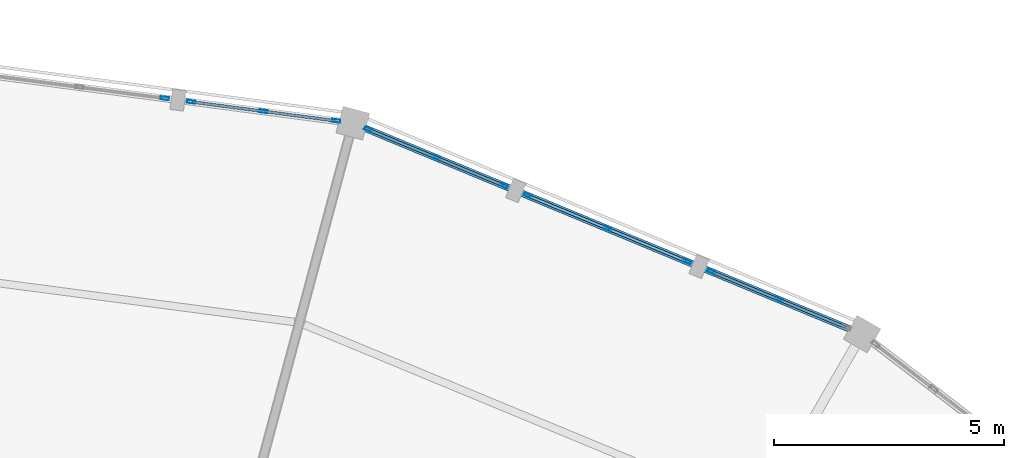
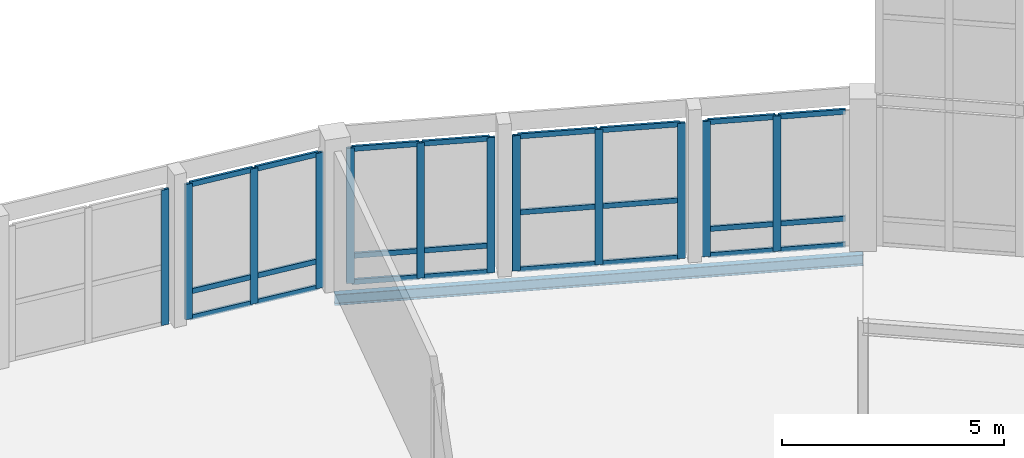
# One storey, part 103 of 200: 36 members, 1 beam, 5 elements without a shape of their own.
"""IFC4 building model written with IfcOpenShell, lengths in metres."""

from ifc_helpers import new_model, si_unit, direction, frame, origin, origin_2d, place, context, subcontext, project, spatial, hollow_rectangle, i_section, extrude, material, material_profile, profile_set, type_object, element, aggregate, save


model = new_model("IFC4")

# Units and contexts
model_context = context("Model", 3, precision=1e-05, world=origin(), true_north=direction((0.0, 1.0)))
body_context = subcontext(model_context, "Body", "Model", "MODEL_VIEW")
ifc_project = project(units=[si_unit("LENGTHUNIT", "METRE"), si_unit("AREAUNIT", "SQUARE_METRE"), si_unit("VOLUMEUNIT", "CUBIC_METRE"), si_unit("PLANEANGLEUNIT", "RADIAN"), si_unit("MASSUNIT", "GRAM", prefix="KILO")], contexts=[model_context])

# Site, building, storey
site_placement = place(None, origin())
site = spatial("IfcSite", under=ifc_project, at=site_placement, CompositionType="ELEMENT")
building_placement = place(site_placement, origin())
building = spatial("IfcBuilding", under=site, at=building_placement, Name="Vondelvale Polytechnic", CompositionType="ELEMENT")
storey_placement = place(building_placement, frame((0.0, 0.0, 13.800048828125)))
storey = spatial("IfcBuildingStorey", under=building, at=storey_placement, Name="L03", CompositionType="ELEMENT", Elevation=13.800048828125)

# Beam
ifc_material_1 = material(Name="Steel 300PLUS (fy = 300 MPa)", Category="steel")
ifc_material_profile_1 = material_profile(ifc_material_1, i_section(OverallWidth=0.14892578125, OverallDepth=0.298095703125, WebThickness=0.005615234375, FlangeThickness=0.008056640625, FilletRadius=0.011474609375, at=origin_2d()), Name="310UB32.0")
ifc_profile_set_1 = profile_set([ifc_material_profile_1], Name="Steel 300PLUS (fy = 300 MPa)")
beam_type = type_object("IfcBeamType", Name="BM-UB310L", PredefinedType="BEAM", material=ifc_profile_set_1)
beam_placement = place(storey_placement, frame((125.0, 111.837158203125, -0.399169921875), z_axis=(-0.923877323614, 0.382688765072, 0.0), x_axis=(-0.382688765072, -0.923877323614, 0.0)))
element("IfcBeam", 1, at=beam_placement, inside=storey, type_object=beam_type, Name="L03 RB B-25", PredefinedType="BEAM", context=body_context, shape_type="SweptSolid", body=[
    extrude(i_section(OverallWidth=0.14892578125, OverallDepth=0.298095703125, WebThickness=0.005615234375, FlangeThickness=0.008056640625, FilletRadius=0.011474609375, at=origin_2d()), origin(), (0.0, 0.0, 1.0), 12.00830078125),
])

# Curtain wall, members
ifc_material_2 = material(Name="Glulam GL18 structural Tasmanian oak (fb = 42 MPa)", Category="wood")
curtain_wall_type = type_object("IfcCurtainWallType", Name="CW-RING-OUTER", PredefinedType="NOTDEFINED", material=ifc_material_2)
curtain_wall_1_placement = place(storey_placement, origin())
curtain_wall_1 = element("IfcCurtainWall", 2, at=curtain_wall_1_placement, inside=storey, type_object=curtain_wall_type, Name="L03 architectural curtain wall CW-04-124", PredefinedType="NOTDEFINED")
ifc_material_3 = material(Name="Anodised extruded aluminium 6063-T6", Category="aluminium")
ifc_material_profile_2 = material_profile(ifc_material_3, hollow_rectangle(XDim=0.06494140625, YDim=0.179931640625, WallThickness=0.00390625, at=origin_2d()), Name="CW-MUL-180x65")
ifc_profile_set_2 = profile_set([ifc_material_profile_2], Name="Anodised extruded aluminium 6063-T6")
member_type_1 = type_object("IfcMemberType", Name="CW-MUL-65x180", PredefinedType="MULLION", material=ifc_profile_set_2)
member_1_placement = place(storey_placement, frame((123.18896484375, 112.58740234375, 0.0), z_axis=(0.0, 0.0, 1.0), x_axis=(-0.382677394529, -0.923882033442, 0.0)))
member_1 = element("IfcMember", 3, at=member_1_placement, type_object=member_type_1, Name="CW-04-124 mullion 2", PredefinedType="MULLION", context=body_context, shape_type="SweptSolid", body=[
    extrude(hollow_rectangle(XDim=0.06494140625, YDim=0.179931640625, WallThickness=0.00390625, at=origin_2d()), origin(), (0.0, 0.0, 1.0), 3.719970703125),
])
member_2_placement = place(storey_placement, frame((121.71533203125, 113.19775390625, 0.0), z_axis=(0.0, 0.0, 1.0), x_axis=(-0.382677394529, -0.923882033442, 0.0)))
member_2 = element("IfcMember", 4, at=member_2_placement, type_object=member_type_1, Name="CW-04-124 mullion 3", PredefinedType="MULLION", context=body_context, shape_type="SweptSolid", body=[
    extrude(hollow_rectangle(XDim=0.06494140625, YDim=0.179931640625, WallThickness=0.00390625, at=origin_2d()), origin(), (0.0, 0.0, 1.0), 3.719970703125),
])

curtain_wall_2_placement = place(storey_placement, origin())
curtain_wall_2 = element("IfcCurtainWall", 5, at=curtain_wall_2_placement, inside=storey, type_object=curtain_wall_type, Name="L03 architectural curtain wall CW-04-125", PredefinedType="NOTDEFINED")
member_3_placement = place(storey_placement, frame((121.18408203125, 113.417724609375, 0.0), z_axis=(0.0, 0.0, 1.0), x_axis=(-0.382694599123, -0.92387490701, 0.0)))
member_3 = element("IfcMember", 6, at=member_3_placement, type_object=member_type_1, Name="CW-04-125 mullion 1", PredefinedType="MULLION", context=body_context, shape_type="SweptSolid", body=[
    extrude(hollow_rectangle(XDim=0.06494140625, YDim=0.179931640625, WallThickness=0.00390625, at=origin_2d()), origin(), (0.0, 0.0, 1.0), 3.719970703125),
])
member_4_placement = place(storey_placement, frame((119.452880859375, 114.135009765625, 0.0), z_axis=(0.0, 0.0, 1.0), x_axis=(-0.382694599123, -0.92387490701, 0.0)))
member_4 = element("IfcMember", 7, at=member_4_placement, type_object=member_type_1, Name="CW-04-125 mullion 2", PredefinedType="MULLION", context=body_context, shape_type="SweptSolid", body=[
    extrude(hollow_rectangle(XDim=0.06494140625, YDim=0.179931640625, WallThickness=0.00390625, at=origin_2d()), origin(), (0.0, 0.0, 1.0), 3.719970703125),
])
member_5_placement = place(storey_placement, frame((117.721435546875, 114.85205078125, 0.0), z_axis=(0.0, 0.0, 1.0), x_axis=(-0.382694599123, -0.92387490701, 0.0)))
member_5 = element("IfcMember", 8, at=member_5_placement, type_object=member_type_1, Name="CW-04-125 mullion 3", PredefinedType="MULLION", context=body_context, shape_type="SweptSolid", body=[
    extrude(hollow_rectangle(XDim=0.06494140625, YDim=0.179931640625, WallThickness=0.00390625, at=origin_2d()), origin(), (0.0, 0.0, 1.0), 3.719970703125),
])

curtain_wall_3_placement = place(storey_placement, origin())
curtain_wall_3 = element("IfcCurtainWall", 9, at=curtain_wall_3_placement, inside=storey, type_object=curtain_wall_type, Name="L03 architectural curtain wall CW-04-126", PredefinedType="NOTDEFINED")
member_6_placement = place(storey_placement, frame((117.190185546875, 115.072021484375, 0.0), z_axis=(0.0, 0.0, 1.0), x_axis=(-0.382677394529, -0.923882033442, 0.0)))
member_6 = element("IfcMember", 10, at=member_6_placement, type_object=member_type_1, Name="CW-04-126 mullion 1", PredefinedType="MULLION", context=body_context, shape_type="SweptSolid", body=[
    extrude(hollow_rectangle(XDim=0.06494140625, YDim=0.179931640625, WallThickness=0.00390625, at=origin_2d()), origin(), (0.0, 0.0, 1.0), 3.719970703125),
])
member_7_placement = place(storey_placement, frame((115.716796875, 115.6826171875, 0.0), z_axis=(0.0, 0.0, 1.0), x_axis=(-0.382677394529, -0.923882033442, 0.0)))
member_7 = element("IfcMember", 11, at=member_7_placement, type_object=member_type_1, Name="CW-04-126 mullion 2", PredefinedType="MULLION", context=body_context, shape_type="SweptSolid", body=[
    extrude(hollow_rectangle(XDim=0.06494140625, YDim=0.179931640625, WallThickness=0.00390625, at=origin_2d()), origin(), (0.0, 0.0, 1.0), 3.719970703125),
])
member_8_placement = place(storey_placement, frame((114.2431640625, 116.29296875, 0.0), z_axis=(0.0, 0.0, 1.0), x_axis=(-0.382677394529, -0.923882033442, 0.0)))
member_8 = element("IfcMember", 12, at=member_8_placement, type_object=member_type_1, Name="CW-04-126 mullion 3", PredefinedType="MULLION", context=body_context, shape_type="SweptSolid", body=[
    extrude(hollow_rectangle(XDim=0.06494140625, YDim=0.179931640625, WallThickness=0.00390625, at=origin_2d()), origin(), (0.0, 0.0, 1.0), 3.719970703125),
])

curtain_wall_4_placement = place(storey_placement, origin())
curtain_wall_4 = element("IfcCurtainWall", 13, at=curtain_wall_4_placement, inside=storey, type_object=curtain_wall_type, Name="L03 architectural curtain wall CW-04-144", PredefinedType="NOTDEFINED")
member_9_placement = place(storey_placement, frame((113.54345703125, 116.480224609375, 0.0), z_axis=(0.0, 0.0, 1.0), x_axis=(-0.130539547729, -0.991443102996, 0.0)))
member_9 = element("IfcMember", 14, at=member_9_placement, type_object=member_type_1, Name="CW-04-144 mullion 1", PredefinedType="MULLION", context=body_context, shape_type="SweptSolid", body=[
    extrude(hollow_rectangle(XDim=0.06494140625, YDim=0.179931640625, WallThickness=0.00390625, at=origin_2d()), origin(), (0.0, 0.0, 1.0), 3.719970703125),
])
member_10_placement = place(storey_placement, frame((111.962158203125, 116.6884765625, 0.0), z_axis=(0.0, 0.0, 1.0), x_axis=(-0.130539547729, -0.991443102996, 0.0)))
member_10 = element("IfcMember", 15, at=member_10_placement, type_object=member_type_1, Name="CW-04-144 mullion 2", PredefinedType="MULLION", context=body_context, shape_type="SweptSolid", body=[
    extrude(hollow_rectangle(XDim=0.06494140625, YDim=0.179931640625, WallThickness=0.00390625, at=origin_2d()), origin(), (0.0, 0.0, 1.0), 3.719970703125),
])
member_11_placement = place(storey_placement, frame((110.380859375, 116.896728515625, 0.0), z_axis=(0.0, 0.0, 1.0), x_axis=(-0.130539547729, -0.991443102996, 0.0)))
member_11 = element("IfcMember", 16, at=member_11_placement, type_object=member_type_1, Name="CW-04-144 mullion 3", PredefinedType="MULLION", context=body_context, shape_type="SweptSolid", body=[
    extrude(hollow_rectangle(XDim=0.06494140625, YDim=0.179931640625, WallThickness=0.00390625, at=origin_2d()), origin(), (0.0, 0.0, 1.0), 3.719970703125),
])

# Curtain wall, member
curtain_wall_5_placement = place(storey_placement, origin())
curtain_wall_5 = element("IfcCurtainWall", 17, at=curtain_wall_5_placement, inside=storey, type_object=curtain_wall_type, Name="L03 architectural curtain wall CW-04-145", PredefinedType="NOTDEFINED")
member_12_placement = place(storey_placement, frame((109.810791015625, 116.9716796875, 0.0), z_axis=(0.0, 0.0, 1.0), x_axis=(-0.130497251349, -0.991448671082, 0.0)))
member_12 = element("IfcMember", 18, at=member_12_placement, type_object=member_type_1, Name="CW-04-145 mullion 1", PredefinedType="MULLION", context=body_context, shape_type="SweptSolid", body=[
    extrude(hollow_rectangle(XDim=0.06494140625, YDim=0.179931640625, WallThickness=0.00390625, at=origin_2d()), origin(), (0.0, 0.0, 1.0), 3.719970703125),
])
aggregate(curtain_wall_5, [member_12])

# Member
ifc_material_profile_3 = material_profile(ifc_material_3, hollow_rectangle(XDim=0.06005859375, YDim=0.139892578125, WallThickness=0.00341796875, at=origin_2d()), Name="CW-TRN-140x60")
ifc_profile_set_3 = profile_set([ifc_material_profile_3], Name="Anodised extruded aluminium 6063-T6")
member_type_2 = type_object("IfcMemberType", Name="CW-TRN-60x140", PredefinedType="USERDEFINED", material=ifc_profile_set_3)
member_13_placement = place(storey_placement, frame((124.632568359375, 111.9892578125, 0.030029296875), z_axis=(-0.923839843027, 0.382779237206, 0.0), x_axis=(-0.382779237206, -0.923839843027, 0.0)))
member_13 = element("IfcMember", 19, at=member_13_placement, type_object=member_type_2, Name="CW-04-124 transom 1.1", ObjectType="TRANSOM", PredefinedType="USERDEFINED", context=body_context, shape_type="SweptSolid", body=[
    extrude(hollow_rectangle(XDim=0.06005859375, YDim=0.139892578125, WallThickness=0.00341796875, at=origin_2d()), origin(), (0.0, 0.0, 1.0), 1.530029296875),
])

member_14_placement = place(storey_placement, frame((124.632568359375, 111.9892578125, 0.75), z_axis=(-0.923839843027, 0.382779237206, 0.0), x_axis=(-0.382779237206, -0.923839843027, 0.0)))
member_14 = element("IfcMember", 20, at=member_14_placement, type_object=member_type_2, Name="CW-04-124 transom 1.2", ObjectType="TRANSOM", PredefinedType="USERDEFINED", context=body_context, shape_type="SweptSolid", body=[
    extrude(hollow_rectangle(XDim=0.06005859375, YDim=0.139892578125, WallThickness=0.00341796875, at=origin_2d()), origin(), (0.0, 0.0, 1.0), 1.530029296875),
])

member_15_placement = place(storey_placement, frame((124.632568359375, 111.9892578125, 3.68994140625), z_axis=(-0.923839843027, 0.382779237206, 0.0), x_axis=(-0.382779237206, -0.923839843027, 0.0)))
member_15 = element("IfcMember", 21, at=member_15_placement, type_object=member_type_2, Name="CW-04-124 transom 1.3", ObjectType="TRANSOM", PredefinedType="USERDEFINED", context=body_context, shape_type="SweptSolid", body=[
    extrude(hollow_rectangle(XDim=0.06005859375, YDim=0.139892578125, WallThickness=0.00341796875, at=origin_2d()), origin(), (0.0, 0.0, 1.0), 1.530029296875),
])

member_16_placement = place(storey_placement, frame((123.158935546875, 112.599853515625, 0.030029296875), z_axis=(-0.923896260346, 0.382643045304, 0.0), x_axis=(-0.382643045304, -0.923896260346, 0.0)))
member_16 = element("IfcMember", 22, at=member_16_placement, type_object=member_type_2, Name="CW-04-124 transom 2.1", ObjectType="TRANSOM", PredefinedType="USERDEFINED", context=body_context, shape_type="SweptSolid", body=[
    extrude(hollow_rectangle(XDim=0.06005859375, YDim=0.139892578125, WallThickness=0.00341796875, at=origin_2d()), origin(), (0.0, 0.0, 1.0), 1.530029296875),
])

member_17_placement = place(storey_placement, frame((123.158935546875, 112.599853515625, 0.75), z_axis=(-0.923896260346, 0.382643045304, 0.0), x_axis=(-0.382643045304, -0.923896260346, 0.0)))
member_17 = element("IfcMember", 23, at=member_17_placement, type_object=member_type_2, Name="CW-04-124 transom 2.2", ObjectType="TRANSOM", PredefinedType="USERDEFINED", context=body_context, shape_type="SweptSolid", body=[
    extrude(hollow_rectangle(XDim=0.06005859375, YDim=0.139892578125, WallThickness=0.00341796875, at=origin_2d()), origin(), (0.0, 0.0, 1.0), 1.530029296875),
])

member_18_placement = place(storey_placement, frame((123.158935546875, 112.599853515625, 3.68994140625), z_axis=(-0.923896260346, 0.382643045304, 0.0), x_axis=(-0.382643045304, -0.923896260346, 0.0)))
member_18 = element("IfcMember", 24, at=member_18_placement, type_object=member_type_2, Name="CW-04-124 transom 2.3", ObjectType="TRANSOM", PredefinedType="USERDEFINED", context=body_context, shape_type="SweptSolid", body=[
    extrude(hollow_rectangle(XDim=0.06005859375, YDim=0.139892578125, WallThickness=0.00341796875, at=origin_2d()), origin(), (0.0, 0.0, 1.0), 1.530029296875),
])

aggregate(curtain_wall_1, [member_1, member_2, member_13, member_14, member_15, member_16, member_17, member_18])

member_19_placement = place(storey_placement, frame((121.154052734375, 113.43017578125, 0.030029296875), z_axis=(-0.92384573676, 0.382765012338, 0.0), x_axis=(-0.382765012338, -0.92384573676, 0.0)))
member_19 = element("IfcMember", 25, at=member_19_placement, type_object=member_type_2, Name="CW-04-125 transom 1.1", ObjectType="TRANSOM", PredefinedType="USERDEFINED", context=body_context, shape_type="SweptSolid", body=[
    extrude(hollow_rectangle(XDim=0.06005859375, YDim=0.139892578125, WallThickness=0.00341796875, at=origin_2d()), origin(), (0.0, 0.0, 1.0), 1.808837890625),
])

member_20_placement = place(storey_placement, frame((121.154052734375, 113.43017578125, 1.599853515625), z_axis=(-0.92384573676, 0.382765012338, 0.0), x_axis=(-0.382765012338, -0.92384573676, 0.0)))
member_20 = element("IfcMember", 26, at=member_20_placement, type_object=member_type_2, Name="CW-04-125 transom 1.2", ObjectType="TRANSOM", PredefinedType="USERDEFINED", context=body_context, shape_type="SweptSolid", body=[
    extrude(hollow_rectangle(XDim=0.06005859375, YDim=0.139892578125, WallThickness=0.00341796875, at=origin_2d()), origin(), (0.0, 0.0, 1.0), 1.808837890625),
])

member_21_placement = place(storey_placement, frame((121.154052734375, 113.43017578125, 3.68994140625), z_axis=(-0.92384573676, 0.382765012338, 0.0), x_axis=(-0.382765012338, -0.92384573676, 0.0)))
member_21 = element("IfcMember", 27, at=member_21_placement, type_object=member_type_2, Name="CW-04-125 transom 1.3", ObjectType="TRANSOM", PredefinedType="USERDEFINED", context=body_context, shape_type="SweptSolid", body=[
    extrude(hollow_rectangle(XDim=0.06005859375, YDim=0.139892578125, WallThickness=0.00341796875, at=origin_2d()), origin(), (0.0, 0.0, 1.0), 1.808837890625),
])

member_22_placement = place(storey_placement, frame((119.4228515625, 114.147216796875, 0.030029296875), z_axis=(-0.923865506878, 0.382717291485, 0.0), x_axis=(-0.382717291485, -0.923865506878, 0.0)))
member_22 = element("IfcMember", 28, at=member_22_placement, type_object=member_type_2, Name="CW-04-125 transom 2.1", ObjectType="TRANSOM", PredefinedType="USERDEFINED", context=body_context, shape_type="SweptSolid", body=[
    extrude(hollow_rectangle(XDim=0.06005859375, YDim=0.139892578125, WallThickness=0.00341796875, at=origin_2d()), origin(), (0.0, 0.0, 1.0), 1.80908203125),
])

member_23_placement = place(storey_placement, frame((119.4228515625, 114.147216796875, 1.599853515625), z_axis=(-0.923865506878, 0.382717291485, 0.0), x_axis=(-0.382717291485, -0.923865506878, 0.0)))
member_23 = element("IfcMember", 29, at=member_23_placement, type_object=member_type_2, Name="CW-04-125 transom 2.2", ObjectType="TRANSOM", PredefinedType="USERDEFINED", context=body_context, shape_type="SweptSolid", body=[
    extrude(hollow_rectangle(XDim=0.06005859375, YDim=0.139892578125, WallThickness=0.00341796875, at=origin_2d()), origin(), (0.0, 0.0, 1.0), 1.80908203125),
])

member_24_placement = place(storey_placement, frame((119.4228515625, 114.147216796875, 3.68994140625), z_axis=(-0.923865506878, 0.382717291485, 0.0), x_axis=(-0.382717291485, -0.923865506878, 0.0)))
member_24 = element("IfcMember", 30, at=member_24_placement, type_object=member_type_2, Name="CW-04-125 transom 2.3", ObjectType="TRANSOM", PredefinedType="USERDEFINED", context=body_context, shape_type="SweptSolid", body=[
    extrude(hollow_rectangle(XDim=0.06005859375, YDim=0.139892578125, WallThickness=0.00341796875, at=origin_2d()), origin(), (0.0, 0.0, 1.0), 1.80908203125),
])

aggregate(curtain_wall_2, [member_3, member_4, member_5, member_19, member_20, member_21, member_22, member_23, member_24])

member_25_placement = place(storey_placement, frame((117.16015625, 115.08447265625, 0.030029296875), z_axis=(-0.923816459452, 0.382835668721, 0.0), x_axis=(-0.382835668721, -0.923816459452, 0.0)))
member_25 = element("IfcMember", 31, at=member_25_placement, type_object=member_type_2, Name="CW-04-126 transom 1.1", ObjectType="TRANSOM", PredefinedType="USERDEFINED", context=body_context, shape_type="SweptSolid", body=[
    extrude(hollow_rectangle(XDim=0.06005859375, YDim=0.139892578125, WallThickness=0.00341796875, at=origin_2d()), origin(), (0.0, 0.0, 1.0), 1.52978515625),
])

member_26_placement = place(storey_placement, frame((117.16015625, 115.08447265625, 0.75), z_axis=(-0.923816459452, 0.382835668721, 0.0), x_axis=(-0.382835668721, -0.923816459452, 0.0)))
member_26 = element("IfcMember", 32, at=member_26_placement, type_object=member_type_2, Name="CW-04-126 transom 1.2", ObjectType="TRANSOM", PredefinedType="USERDEFINED", context=body_context, shape_type="SweptSolid", body=[
    extrude(hollow_rectangle(XDim=0.06005859375, YDim=0.139892578125, WallThickness=0.00341796875, at=origin_2d()), origin(), (0.0, 0.0, 1.0), 1.52978515625),
])

member_27_placement = place(storey_placement, frame((117.16015625, 115.08447265625, 3.68994140625), z_axis=(-0.923816459452, 0.382835668721, 0.0), x_axis=(-0.382835668721, -0.923816459452, 0.0)))
member_27 = element("IfcMember", 33, at=member_27_placement, type_object=member_type_2, Name="CW-04-126 transom 1.3", ObjectType="TRANSOM", PredefinedType="USERDEFINED", context=body_context, shape_type="SweptSolid", body=[
    extrude(hollow_rectangle(XDim=0.06005859375, YDim=0.139892578125, WallThickness=0.00341796875, at=origin_2d()), origin(), (0.0, 0.0, 1.0), 1.52978515625),
])

member_28_placement = place(storey_placement, frame((115.686767578125, 115.69482421875, 0.030029296875), z_axis=(-0.923839843027, 0.382779237206, 0.0), x_axis=(-0.382779237206, -0.923839843027, 0.0)))
member_28 = element("IfcMember", 34, at=member_28_placement, type_object=member_type_2, Name="CW-04-126 transom 2.1", ObjectType="TRANSOM", PredefinedType="USERDEFINED", context=body_context, shape_type="SweptSolid", body=[
    extrude(hollow_rectangle(XDim=0.06005859375, YDim=0.139892578125, WallThickness=0.00341796875, at=origin_2d()), origin(), (0.0, 0.0, 1.0), 1.530029296875),
])

member_29_placement = place(storey_placement, frame((115.686767578125, 115.69482421875, 0.75), z_axis=(-0.923839843027, 0.382779237206, 0.0), x_axis=(-0.382779237206, -0.923839843027, 0.0)))
member_29 = element("IfcMember", 35, at=member_29_placement, type_object=member_type_2, Name="CW-04-126 transom 2.2", ObjectType="TRANSOM", PredefinedType="USERDEFINED", context=body_context, shape_type="SweptSolid", body=[
    extrude(hollow_rectangle(XDim=0.06005859375, YDim=0.139892578125, WallThickness=0.00341796875, at=origin_2d()), origin(), (0.0, 0.0, 1.0), 1.530029296875),
])

member_30_placement = place(storey_placement, frame((115.686767578125, 115.69482421875, 3.68994140625), z_axis=(-0.923839843027, 0.382779237206, 0.0), x_axis=(-0.382779237206, -0.923839843027, 0.0)))
member_30 = element("IfcMember", 36, at=member_30_placement, type_object=member_type_2, Name="CW-04-126 transom 2.3", ObjectType="TRANSOM", PredefinedType="USERDEFINED", context=body_context, shape_type="SweptSolid", body=[
    extrude(hollow_rectangle(XDim=0.06005859375, YDim=0.139892578125, WallThickness=0.00341796875, at=origin_2d()), origin(), (0.0, 0.0, 1.0), 1.530029296875),
])

aggregate(curtain_wall_3, [member_6, member_7, member_8, member_25, member_26, member_27, member_28, member_29, member_30])

member_31_placement = place(storey_placement, frame((113.511474609375, 116.484375, 0.030029296875), z_axis=(-0.99142603388, 0.13066912162, 0.0), x_axis=(-0.13066912162, -0.99142603388, 0.0)))
member_31 = element("IfcMember", 37, at=member_31_placement, type_object=member_type_2, Name="CW-04-144 transom 1.1", ObjectType="TRANSOM", PredefinedType="USERDEFINED", context=body_context, shape_type="SweptSolid", body=[
    extrude(hollow_rectangle(XDim=0.06005859375, YDim=0.139892578125, WallThickness=0.00341796875, at=origin_2d()), origin(), (0.0, 0.0, 1.0), 1.5302734375),
])

member_32_placement = place(storey_placement, frame((113.511474609375, 116.484375, 0.75), z_axis=(-0.99142603388, 0.13066912162, 0.0), x_axis=(-0.13066912162, -0.99142603388, 0.0)))
member_32 = element("IfcMember", 38, at=member_32_placement, type_object=member_type_2, Name="CW-04-144 transom 1.2", ObjectType="TRANSOM", PredefinedType="USERDEFINED", context=body_context, shape_type="SweptSolid", body=[
    extrude(hollow_rectangle(XDim=0.06005859375, YDim=0.139892578125, WallThickness=0.00341796875, at=origin_2d()), origin(), (0.0, 0.0, 1.0), 1.5302734375),
])

member_33_placement = place(storey_placement, frame((113.511474609375, 116.484375, 3.68994140625), z_axis=(-0.99142603388, 0.13066912162, 0.0), x_axis=(-0.13066912162, -0.99142603388, 0.0)))
member_33 = element("IfcMember", 39, at=member_33_placement, type_object=member_type_2, Name="CW-04-144 transom 1.3", ObjectType="TRANSOM", PredefinedType="USERDEFINED", context=body_context, shape_type="SweptSolid", body=[
    extrude(hollow_rectangle(XDim=0.06005859375, YDim=0.139892578125, WallThickness=0.00341796875, at=origin_2d()), origin(), (0.0, 0.0, 1.0), 1.5302734375),
])

member_34_placement = place(storey_placement, frame((111.929931640625, 116.692626953125, 0.030029296875), z_axis=(-0.991443972703, 0.130532942165, 0.0), x_axis=(-0.130532942165, -0.991443972703, 0.0)))
member_34 = element("IfcMember", 40, at=member_34_placement, type_object=member_type_2, Name="CW-04-144 transom 2.1", ObjectType="TRANSOM", PredefinedType="USERDEFINED", context=body_context, shape_type="SweptSolid", body=[
    extrude(hollow_rectangle(XDim=0.06005859375, YDim=0.139892578125, WallThickness=0.00341796875, at=origin_2d()), origin(), (0.0, 0.0, 1.0), 1.530029296875),
])

member_35_placement = place(storey_placement, frame((111.929931640625, 116.692626953125, 0.75), z_axis=(-0.991443972703, 0.130532942165, 0.0), x_axis=(-0.130532942165, -0.991443972703, 0.0)))
member_35 = element("IfcMember", 41, at=member_35_placement, type_object=member_type_2, Name="CW-04-144 transom 2.2", ObjectType="TRANSOM", PredefinedType="USERDEFINED", context=body_context, shape_type="SweptSolid", body=[
    extrude(hollow_rectangle(XDim=0.06005859375, YDim=0.139892578125, WallThickness=0.00341796875, at=origin_2d()), origin(), (0.0, 0.0, 1.0), 1.530029296875),
])

member_36_placement = place(storey_placement, frame((111.929931640625, 116.692626953125, 3.68994140625), z_axis=(-0.991443972703, 0.130532942165, 0.0), x_axis=(-0.130532942165, -0.991443972703, 0.0)))
member_36 = element("IfcMember", 42, at=member_36_placement, type_object=member_type_2, Name="CW-04-144 transom 2.3", ObjectType="TRANSOM", PredefinedType="USERDEFINED", context=body_context, shape_type="SweptSolid", body=[
    extrude(hollow_rectangle(XDim=0.06005859375, YDim=0.139892578125, WallThickness=0.00341796875, at=origin_2d()), origin(), (0.0, 0.0, 1.0), 1.530029296875),
])

aggregate(curtain_wall_4, [member_9, member_10, member_11, member_31, member_32, member_33, member_34, member_35, member_36])

save(model, "model.ifc")
